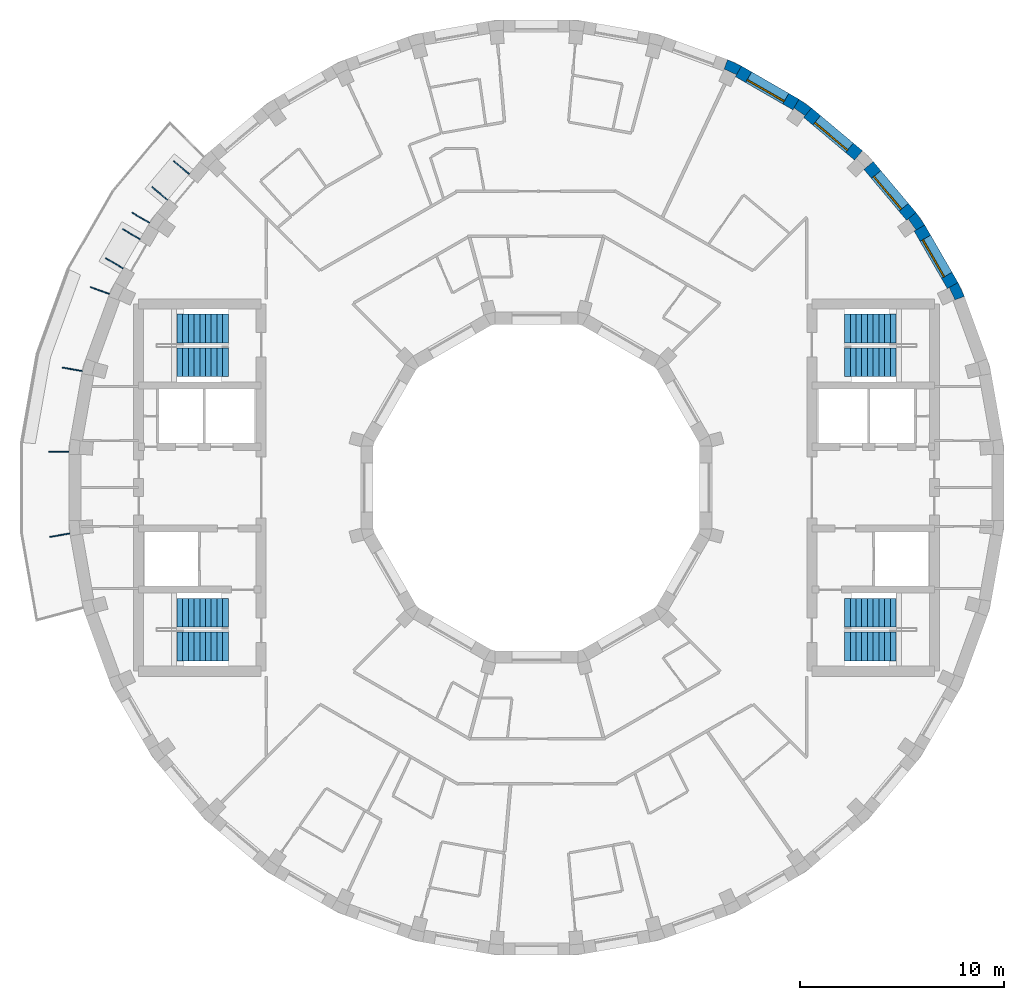
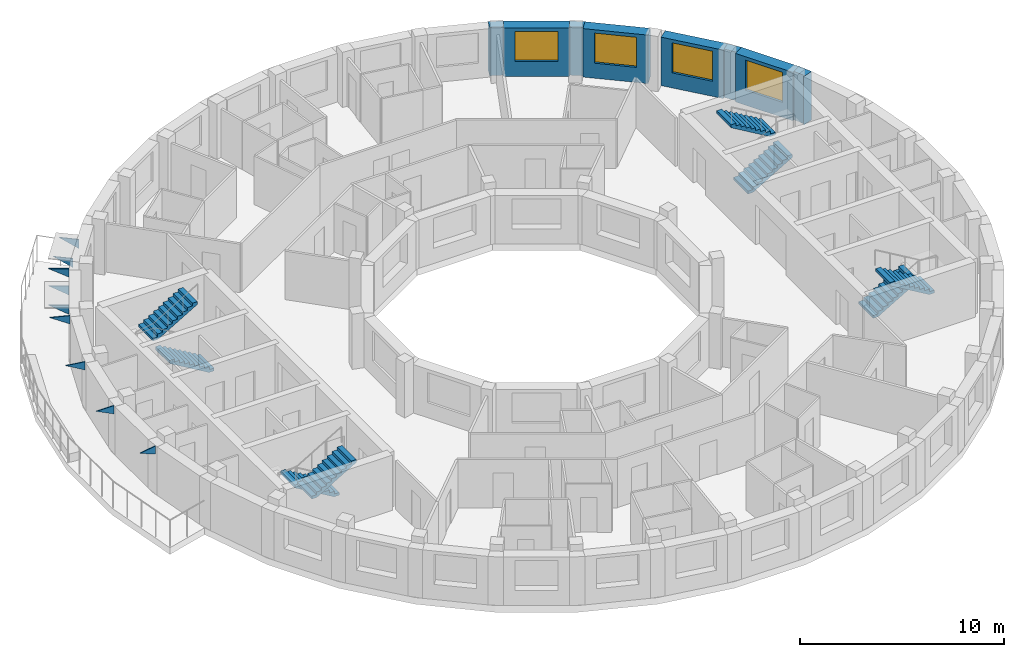
# One storey, part 9 of 10: 9 discrete accessories, 8 stair flights, 8 walls, 4 windows, 4 openings, 4 elements without a shape of their own.
"""IFC4 building model written with IfcOpenShell, lengths in metres."""

from ifc_helpers import new_model, si_unit, direction, frame, frame_2d, origin, place, context, subcontext, project, spatial, polyline, rectangle, outline, extrude, material, layer, layer_set, type_object, element, fill, aggregate, save


model = new_model("IFC4")

# Units and contexts
model_context = context("Model", 3, precision=1e-05, world=origin(), true_north=direction((0.0, 1.0)))
body_context = subcontext(model_context, "Body", "Model", "MODEL_VIEW")
ifc_project = project(units=[si_unit("LENGTHUNIT", "METRE"), si_unit("AREAUNIT", "SQUARE_METRE"), si_unit("VOLUMEUNIT", "CUBIC_METRE"), si_unit("PLANEANGLEUNIT", "RADIAN"), si_unit("MASSUNIT", "GRAM", prefix="KILO")], contexts=[model_context])

# Site, building, storey
site_placement = place(None, origin())
site = spatial("IfcSite", under=ifc_project, at=site_placement, CompositionType="ELEMENT")
building_placement = place(site_placement, origin())
building = spatial("IfcBuilding", under=site, at=building_placement, Name="Saqina Gate Tower", CompositionType="ELEMENT")
storey_placement = place(building_placement, frame((0.0, 0.0, 242.89990234375)))
storey = spatial("IfcBuildingStorey", under=building, at=storey_placement, Name="L69", CompositionType="ELEMENT", Elevation=242.89990234375)

# Walls
ifc_material_1 = material(Name="Brick masonry (buff)", Category="masonry")
wall_type_1 = type_object("IfcWallType", Name="BRICK PIER COPING BUFF", PredefinedType="SOLIDWALL", material=ifc_material_1)
wall_1_placement = place(storey_placement, origin())
element("IfcWall", 1, at=wall_1_placement, inside=storey, type_object=wall_type_1, Name="Pier cap L69 column 3", PredefinedType="SOLIDWALL", context=body_context, shape_type="SweptSolid", body=[
    extrude(outline(polyline([(20.974609375, 9.3642578125), (20.65576171875, 10.048095703125), (20.135986328125, 9.748291015625), (20.23193359375, 9.79296875), (20.506591796875, 9.203857421875), (20.410888671875, 9.1591796875), (20.974609375, 9.3642578125)])), origin(), (0.0, 0.0, 1.0), 2.900146484375),
])
wall_2_placement = place(storey_placement, origin())
element("IfcWall", 2, at=wall_2_placement, inside=storey, type_object=wall_type_1, Name="Pier cap L69 column 4", PredefinedType="SOLIDWALL", context=body_context, shape_type="SweptSolid", body=[
    extrude(outline(polyline([(19.02978515625, 12.8642578125), (18.59716796875, 13.482421875), (18.137451171875, 13.0966796875), (18.22412109375, 13.157470703125), (18.596923828125, 12.625), (18.51025390625, 12.564208984375), (19.02978515625, 12.8642578125)])), origin(), (0.0, 0.0, 1.0), 2.900146484375),
])
wall_3_placement = place(storey_placement, origin())
element("IfcWall", 3, at=wall_3_placement, inside=storey, type_object=wall_type_1, Name="Pier cap L69 column 6", PredefinedType="SOLIDWALL", context=body_context, shape_type="SweptSolid", body=[
    extrude(outline(polyline([(12.8642578125, 19.02978515625), (12.564208984375, 18.51025390625), (12.625, 18.596923828125), (13.157470703125, 18.22412109375), (13.0966796875, 18.137451171875), (13.482421875, 18.59716796875), (12.8642578125, 19.02978515625)])), origin(), (0.0, 0.0, 1.0), 2.900146484375),
])
wall_4_placement = place(storey_placement, origin())
element("IfcWall", 4, at=wall_4_placement, inside=storey, type_object=wall_type_1, Name="Pier cap L69 column 7", PredefinedType="SOLIDWALL", context=body_context, shape_type="SweptSolid", body=[
    extrude(outline(polyline([(10.048095703125, 20.65576171875), (9.3642578125, 20.974609375), (9.1591796875, 20.410888671875), (9.203857421875, 20.506591796875), (9.79296875, 20.23193359375), (9.748291015625, 20.135986328125), (10.048095703125, 20.65576171875)])), origin(), (0.0, 0.0, 1.0), 2.900146484375),
])

# Wall, opening, window
ifc_material_2 = material(Name="Brick masonry (buff)", Category="masonry")
ifc_layer_1 = layer(ifc_material_2, 0.60009765625)
ifc_layer_set_1 = layer_set([ifc_layer_1], Name="FW-BRICK-BUFF")
wall_type_2 = type_object("IfcWallType", Name="FW-BRICK-BUFF", PredefinedType="SOLIDWALL", material=ifc_layer_set_1)
wall_5_placement = place(storey_placement, frame((20.39599609375, 9.898193359375, 0.0), z_axis=(0.0, 0.0, 1.0), x_axis=(-0.500014901547, 0.866016800201, 0.0)))
wall_5 = element("IfcWall", 5, at=wall_5_placement, inside=storey, type_object=wall_type_2, Name="Facade wall L69 facet 3", PredefinedType="SOLIDWALL", context=body_context, shape_type="SweptSolid", body=[
    extrude(rectangle(XDim=3.251953125, YDim=0.60009765625, at=frame_2d((1.6259765625, 0.0))), origin(), (0.0, 0.0, 1.0), 2.900146484375),
])
opening_1_placement = place(wall_5_placement, frame((0.57568359375, 0.0, 0.89990234375)))
opening_1 = element("IfcOpeningElement", 6, at=opening_1_placement, cuts=wall_5, Name="Opening G20-W01", PredefinedType="OPENING", context=body_context, shape_type="SweptSolid", body=[
    extrude(rectangle(XDim=2.10009765625, YDim=1.800048828125, at=frame_2d((1.050048828125, 0.89990234375))), frame((0.0, 0.31201171875, 0.0), z_axis=(0.0, -1.0, 0.0), x_axis=(1.0, 0.0, 0.0)), (0.0, 0.0, 1.0), 0.6240234375),
])
ifc_material_3 = material(Name="Aluminium glazing", Category="aluminium")
window_type = type_object("IfcWindowType", Name="WN-D", PartitioningType="SINGLE_PANEL", PredefinedType="WINDOW", material=ifc_material_3)
window_1_placement = place(opening_1_placement, origin())
window_1 = element("IfcWindow", 7, at=window_1_placement, inside=storey, type_object=window_type, Name="Window L69 facet 3", OverallHeight=1.800048828125, OverallWidth=2.10009765625, PartitioningType="SINGLE_PANEL", PredefinedType="WINDOW", context=body_context, shape_type="SweptSolid", body=[
    extrude(rectangle(XDim=2.10009765625, YDim=1.800048828125, at=frame_2d((1.050048828125, 0.89990234375))), frame((0.0, 0.179931640625, 0.0), z_axis=(0.0, -1.0, 0.0), x_axis=(1.0, 0.0, 0.0)), (0.0, 0.0, 1.0), 0.06005859375),
])
fill(opening_1, window_1)

wall_6_placement = place(storey_placement, frame((18.3671875, 13.28955078125, 0.0), z_axis=(0.0, 0.0, 1.0), x_axis=(-0.64277291405, 0.766056773982, 0.0)))
wall_6 = element("IfcWall", 8, at=wall_6_placement, inside=storey, type_object=wall_type_2, Name="Facade wall L69 facet 4", PredefinedType="SOLIDWALL", context=body_context, shape_type="SweptSolid", body=[
    extrude(rectangle(XDim=3.251708984375, YDim=0.60009765625, at=frame_2d((1.6259765625, 0.0))), origin(), (0.0, 0.0, 1.0), 2.900146484375),
])
opening_2_placement = place(wall_6_placement, frame((0.57568359375, 0.0, 0.89990234375)))
opening_2 = element("IfcOpeningElement", 9, at=opening_2_placement, cuts=wall_6, Name="Opening G20-W02", PredefinedType="OPENING", context=body_context, shape_type="SweptSolid", body=[
    extrude(rectangle(XDim=2.10009765625, YDim=1.800048828125, at=frame_2d((1.050048828125, 0.89990234375))), frame((0.0, 0.31201171875, 0.0), z_axis=(0.0, -1.0, 0.0), x_axis=(1.0, 0.0, 0.0)), (0.0, 0.0, 1.0), 0.6240234375),
])
window_2_placement = place(opening_2_placement, origin())
window_2 = element("IfcWindow", 10, at=window_2_placement, inside=storey, type_object=window_type, Name="Window L69 facet 4", OverallHeight=1.800048828125, OverallWidth=2.10009765625, PartitioningType="SINGLE_PANEL", PredefinedType="WINDOW", context=body_context, shape_type="SweptSolid", body=[
    extrude(rectangle(XDim=2.10009765625, YDim=1.800048828125, at=frame_2d((1.050048828125, 0.89990234375))), frame((0.0, 0.179931640625, 0.0), z_axis=(0.0, -1.0, 0.0), x_axis=(1.0, 0.0, 0.0)), (0.0, 0.0, 1.0), 0.06005859375),
])
fill(opening_2, window_2)

wall_7_placement = place(storey_placement, frame((15.780517578125, 16.277099609375, 0.0), z_axis=(0.0, 0.0, 1.0), x_axis=(-0.766056773982, 0.64277291405, 0.0)))
wall_7 = element("IfcWall", 11, at=wall_7_placement, inside=storey, type_object=wall_type_2, Name="Facade wall L69 facet 5", PredefinedType="SOLIDWALL", context=body_context, shape_type="SweptSolid", body=[
    extrude(rectangle(XDim=3.251708984375, YDim=0.60009765625, at=frame_2d((1.6259765625, 0.0))), origin(), (0.0, 0.0, 1.0), 2.900146484375),
])
opening_3_placement = place(wall_7_placement, frame((0.57568359375, 0.0, 0.89990234375)))
opening_3 = element("IfcOpeningElement", 12, at=opening_3_placement, cuts=wall_7, Name="Opening G20-W03", PredefinedType="OPENING", context=body_context, shape_type="SweptSolid", body=[
    extrude(rectangle(XDim=2.10009765625, YDim=1.800048828125, at=frame_2d((1.050048828125, 0.89990234375))), frame((0.0, 0.31201171875, 0.0), z_axis=(0.0, -1.0, 0.0), x_axis=(1.0, 0.0, 0.0)), (0.0, 0.0, 1.0), 0.6240234375),
])
window_3_placement = place(opening_3_placement, origin())
window_3 = element("IfcWindow", 13, at=window_3_placement, inside=storey, type_object=window_type, Name="Window L69 facet 5", OverallHeight=1.800048828125, OverallWidth=2.10009765625, PartitioningType="SINGLE_PANEL", PredefinedType="WINDOW", context=body_context, shape_type="SweptSolid", body=[
    extrude(rectangle(XDim=2.10009765625, YDim=1.800048828125, at=frame_2d((1.050048828125, 0.89990234375))), frame((0.0, 0.179931640625, 0.0), z_axis=(0.0, -1.0, 0.0), x_axis=(1.0, 0.0, 0.0)), (0.0, 0.0, 1.0), 0.06005859375),
])
fill(opening_3, window_3)

wall_8_placement = place(storey_placement, frame((12.71435546875, 18.77001953125, 0.0), z_axis=(0.0, 0.0, 1.0), x_axis=(-0.866016800201, 0.500014901547, 0.0)))
wall_8 = element("IfcWall", 14, at=wall_8_placement, inside=storey, type_object=wall_type_2, Name="Facade wall L69 facet 6", PredefinedType="SOLIDWALL", context=body_context, shape_type="SweptSolid", body=[
    extrude(rectangle(XDim=3.251953125, YDim=0.60009765625, at=frame_2d((1.6259765625, 0.0))), origin(), (0.0, 0.0, 1.0), 2.900146484375),
])
opening_4_placement = place(wall_8_placement, frame((0.57568359375, 0.0, 0.89990234375)))
opening_4 = element("IfcOpeningElement", 15, at=opening_4_placement, cuts=wall_8, Name="Opening G20-W04", PredefinedType="OPENING", context=body_context, shape_type="SweptSolid", body=[
    extrude(rectangle(XDim=2.10009765625, YDim=1.800048828125, at=frame_2d((1.050048828125, 0.89990234375))), frame((0.0, 0.31201171875, 0.0), z_axis=(0.0, -1.0, 0.0), x_axis=(1.0, 0.0, 0.0)), (0.0, 0.0, 1.0), 0.6240234375),
])
window_4_placement = place(opening_4_placement, origin())
window_4 = element("IfcWindow", 16, at=window_4_placement, inside=storey, type_object=window_type, Name="Window L69 facet 6", OverallHeight=1.800048828125, OverallWidth=2.10009765625, PartitioningType="SINGLE_PANEL", PredefinedType="WINDOW", context=body_context, shape_type="SweptSolid", body=[
    extrude(rectangle(XDim=2.10009765625, YDim=1.800048828125, at=frame_2d((1.050048828125, 0.89990234375))), frame((0.0, 0.179931640625, 0.0), z_axis=(0.0, -1.0, 0.0), x_axis=(1.0, 0.0, 0.0)), (0.0, 0.0, 1.0), 0.06005859375),
])
fill(opening_4, window_4)

# Stair, stair flights
ifc_material_4 = material(Name="Concrete C40/50", Category="concrete")
stair_type = type_object("IfcStairType", Name="EXIT STAIR", PredefinedType="HALF_TURN_STAIR", material=ifc_material_4)
stair_1_placement = place(storey_placement, origin())
stair_1 = element("IfcStair", 17, at=stair_1_placement, inside=storey, type_object=stair_type, Name="EXIT STAIR 1", PredefinedType="HALF_TURN_STAIR")
ifc_material_5 = material(Name="Concrete C40/50", Category="concrete")
stair_flight_type = type_object("IfcStairFlightType", Name="EXIT STAIR FLIGHT", PredefinedType="STRAIGHT", material=ifc_material_5)
stair_flight_1_placement = place(storey_placement, frame((15.10009765625, 6.13330078125, 0.0), z_axis=(0.0, 0.0, 1.0), x_axis=(1.0, 0.0, 0.0)))
stair_flight_1 = element("IfcStairFlight", 18, at=stair_flight_1_placement, type_object=stair_flight_type, Name="EXIT STAIR 1 FLIGHT 1", NumberOfRisers=10, NumberOfTreads=9, PredefinedType="STRAIGHT", RiserHeight=0.165, TreadLength=0.28, context=body_context, shape_type="SweptSolid", body=[
    extrude(outline(polyline([(0.0, 0.0), (0.0, 0.1650390625), (0.280029296875, 0.1650390625), (0.280029296875, 0.330078125), (0.56005859375, 0.330078125), (0.56005859375, 0.4951171875), (0.840087890625, 0.4951171875), (0.840087890625, 0.659912109375), (1.1201171875, 0.659912109375), (1.1201171875, 0.824951171875), (1.39990234375, 0.824951171875), (1.39990234375, 0.989990234375), (1.679931640625, 0.989990234375), (1.679931640625, 1.155029296875), (1.9599609375, 1.155029296875), (1.9599609375, 1.320068359375), (2.239990234375, 1.320068359375), (2.239990234375, 1.485107421875), (2.52001953125, 1.485107421875), (2.52001953125, 1.64990234375), (2.52001953125, 1.31103515625), (0.295166015625, 0.0), (0.0, 0.0)])), frame((0.0, 0.699951171875, 0.0), z_axis=(0.0, -1.0, 0.0), x_axis=(1.0, 0.0, 0.0)), (0.0, 0.0, 1.0), 1.39990234375),
])
stair_flight_2_placement = place(storey_placement, frame((17.6201171875, 7.791748046875, 1.650146484375), z_axis=(0.0, 0.0, 1.0), x_axis=(-1.0, 0.0, 0.0)))
stair_flight_2 = element("IfcStairFlight", 19, at=stair_flight_2_placement, type_object=stair_flight_type, Name="EXIT STAIR 1 FLIGHT 2", NumberOfRisers=10, NumberOfTreads=9, PredefinedType="STRAIGHT", RiserHeight=0.165, TreadLength=0.28, context=body_context, shape_type="SweptSolid", body=[
    extrude(outline(polyline([(0.0, 0.0), (0.0, 0.1650390625), (0.280029296875, 0.1650390625), (0.280029296875, 0.330078125), (0.56005859375, 0.330078125), (0.56005859375, 0.4951171875), (0.840087890625, 0.4951171875), (0.840087890625, 0.659912109375), (1.1201171875, 0.659912109375), (1.1201171875, 0.824951171875), (1.39990234375, 0.824951171875), (1.39990234375, 0.989990234375), (1.679931640625, 0.989990234375), (1.679931640625, 1.155029296875), (1.9599609375, 1.155029296875), (1.9599609375, 1.320068359375), (2.239990234375, 1.320068359375), (2.239990234375, 1.485107421875), (2.52001953125, 1.485107421875), (2.52001953125, 1.64990234375), (2.52001953125, 1.31103515625), (0.295166015625, 0.0), (0.0, 0.0)])), frame((0.0, 0.699951171875, 0.0), z_axis=(0.0, -1.0, 0.0), x_axis=(1.0, 0.0, 0.0)), (0.0, 0.0, 1.0), 1.39990234375),
])
aggregate(stair_1, [stair_flight_1, stair_flight_2])

stair_2_placement = place(storey_placement, origin())
stair_2 = element("IfcStair", 20, at=stair_2_placement, inside=storey, type_object=stair_type, Name="EXIT STAIR 2", PredefinedType="HALF_TURN_STAIR")
stair_flight_3_placement = place(storey_placement, frame((15.10009765625, -6.13330078125, 0.0), z_axis=(0.0, 0.0, 1.0), x_axis=(1.0, 0.0, 0.0)))
stair_flight_3 = element("IfcStairFlight", 21, at=stair_flight_3_placement, type_object=stair_flight_type, Name="EXIT STAIR 2 FLIGHT 1", NumberOfRisers=10, NumberOfTreads=9, PredefinedType="STRAIGHT", RiserHeight=0.165, TreadLength=0.28, context=body_context, shape_type="SweptSolid", body=[
    extrude(outline(polyline([(0.0, 0.0), (0.0, 0.1650390625), (0.280029296875, 0.1650390625), (0.280029296875, 0.330078125), (0.56005859375, 0.330078125), (0.56005859375, 0.4951171875), (0.840087890625, 0.4951171875), (0.840087890625, 0.659912109375), (1.1201171875, 0.659912109375), (1.1201171875, 0.824951171875), (1.39990234375, 0.824951171875), (1.39990234375, 0.989990234375), (1.679931640625, 0.989990234375), (1.679931640625, 1.155029296875), (1.9599609375, 1.155029296875), (1.9599609375, 1.320068359375), (2.239990234375, 1.320068359375), (2.239990234375, 1.485107421875), (2.52001953125, 1.485107421875), (2.52001953125, 1.64990234375), (2.52001953125, 1.31103515625), (0.295166015625, 0.0), (0.0, 0.0)])), frame((0.0, 0.699951171875, 0.0), z_axis=(0.0, -1.0, 0.0), x_axis=(1.0, 0.0, 0.0)), (0.0, 0.0, 1.0), 1.39990234375),
])
stair_flight_4_placement = place(storey_placement, frame((17.6201171875, -7.791748046875, 1.650146484375), z_axis=(0.0, 0.0, 1.0), x_axis=(-1.0, 0.0, 0.0)))
stair_flight_4 = element("IfcStairFlight", 22, at=stair_flight_4_placement, type_object=stair_flight_type, Name="EXIT STAIR 2 FLIGHT 2", NumberOfRisers=10, NumberOfTreads=9, PredefinedType="STRAIGHT", RiserHeight=0.165, TreadLength=0.28, context=body_context, shape_type="SweptSolid", body=[
    extrude(outline(polyline([(0.0, 0.0), (0.0, 0.1650390625), (0.280029296875, 0.1650390625), (0.280029296875, 0.330078125), (0.56005859375, 0.330078125), (0.56005859375, 0.4951171875), (0.840087890625, 0.4951171875), (0.840087890625, 0.659912109375), (1.1201171875, 0.659912109375), (1.1201171875, 0.824951171875), (1.39990234375, 0.824951171875), (1.39990234375, 0.989990234375), (1.679931640625, 0.989990234375), (1.679931640625, 1.155029296875), (1.9599609375, 1.155029296875), (1.9599609375, 1.320068359375), (2.239990234375, 1.320068359375), (2.239990234375, 1.485107421875), (2.52001953125, 1.485107421875), (2.52001953125, 1.64990234375), (2.52001953125, 1.31103515625), (0.295166015625, 0.0), (0.0, 0.0)])), frame((0.0, 0.699951171875, 0.0), z_axis=(0.0, -1.0, 0.0), x_axis=(1.0, 0.0, 0.0)), (0.0, 0.0, 1.0), 1.39990234375),
])
aggregate(stair_2, [stair_flight_3, stair_flight_4])

stair_3_placement = place(storey_placement, origin())
stair_3 = element("IfcStair", 23, at=stair_3_placement, inside=storey, type_object=stair_type, Name="EXIT STAIR 3", PredefinedType="HALF_TURN_STAIR")
stair_flight_5_placement = place(storey_placement, frame((-15.10009765625, 6.13330078125, 0.0), z_axis=(0.0, 0.0, 1.0), x_axis=(-1.0, 0.0, 0.0)))
stair_flight_5 = element("IfcStairFlight", 24, at=stair_flight_5_placement, type_object=stair_flight_type, Name="EXIT STAIR 3 FLIGHT 1", NumberOfRisers=10, NumberOfTreads=9, PredefinedType="STRAIGHT", RiserHeight=0.165, TreadLength=0.28, context=body_context, shape_type="SweptSolid", body=[
    extrude(outline(polyline([(0.0, 0.0), (0.0, 0.1650390625), (0.280029296875, 0.1650390625), (0.280029296875, 0.330078125), (0.56005859375, 0.330078125), (0.56005859375, 0.4951171875), (0.840087890625, 0.4951171875), (0.840087890625, 0.659912109375), (1.1201171875, 0.659912109375), (1.1201171875, 0.824951171875), (1.39990234375, 0.824951171875), (1.39990234375, 0.989990234375), (1.679931640625, 0.989990234375), (1.679931640625, 1.155029296875), (1.9599609375, 1.155029296875), (1.9599609375, 1.320068359375), (2.239990234375, 1.320068359375), (2.239990234375, 1.485107421875), (2.52001953125, 1.485107421875), (2.52001953125, 1.64990234375), (2.52001953125, 1.31103515625), (0.295166015625, 0.0), (0.0, 0.0)])), frame((0.0, 0.699951171875, 0.0), z_axis=(0.0, -1.0, 0.0), x_axis=(1.0, 0.0, 0.0)), (0.0, 0.0, 1.0), 1.39990234375),
])
stair_flight_6_placement = place(storey_placement, frame((-17.6201171875, 7.791748046875, 1.650146484375), z_axis=(0.0, 0.0, 1.0), x_axis=(1.0, 0.0, 0.0)))
stair_flight_6 = element("IfcStairFlight", 25, at=stair_flight_6_placement, type_object=stair_flight_type, Name="EXIT STAIR 3 FLIGHT 2", NumberOfRisers=10, NumberOfTreads=9, PredefinedType="STRAIGHT", RiserHeight=0.165, TreadLength=0.28, context=body_context, shape_type="SweptSolid", body=[
    extrude(outline(polyline([(0.0, 0.0), (0.0, 0.1650390625), (0.280029296875, 0.1650390625), (0.280029296875, 0.330078125), (0.56005859375, 0.330078125), (0.56005859375, 0.4951171875), (0.840087890625, 0.4951171875), (0.840087890625, 0.659912109375), (1.1201171875, 0.659912109375), (1.1201171875, 0.824951171875), (1.39990234375, 0.824951171875), (1.39990234375, 0.989990234375), (1.679931640625, 0.989990234375), (1.679931640625, 1.155029296875), (1.9599609375, 1.155029296875), (1.9599609375, 1.320068359375), (2.239990234375, 1.320068359375), (2.239990234375, 1.485107421875), (2.52001953125, 1.485107421875), (2.52001953125, 1.64990234375), (2.52001953125, 1.31103515625), (0.295166015625, 0.0), (0.0, 0.0)])), frame((0.0, 0.699951171875, 0.0), z_axis=(0.0, -1.0, 0.0), x_axis=(1.0, 0.0, 0.0)), (0.0, 0.0, 1.0), 1.39990234375),
])
aggregate(stair_3, [stair_flight_5, stair_flight_6])

stair_4_placement = place(storey_placement, origin())
stair_4 = element("IfcStair", 26, at=stair_4_placement, inside=storey, type_object=stair_type, Name="EXIT STAIR 4", PredefinedType="HALF_TURN_STAIR")
stair_flight_7_placement = place(storey_placement, frame((-15.10009765625, -6.13330078125, 0.0), z_axis=(0.0, 0.0, 1.0), x_axis=(-1.0, 0.0, 0.0)))
stair_flight_7 = element("IfcStairFlight", 27, at=stair_flight_7_placement, type_object=stair_flight_type, Name="EXIT STAIR 4 FLIGHT 1", NumberOfRisers=10, NumberOfTreads=9, PredefinedType="STRAIGHT", RiserHeight=0.165, TreadLength=0.28, context=body_context, shape_type="SweptSolid", body=[
    extrude(outline(polyline([(0.0, 0.0), (0.0, 0.1650390625), (0.280029296875, 0.1650390625), (0.280029296875, 0.330078125), (0.56005859375, 0.330078125), (0.56005859375, 0.4951171875), (0.840087890625, 0.4951171875), (0.840087890625, 0.659912109375), (1.1201171875, 0.659912109375), (1.1201171875, 0.824951171875), (1.39990234375, 0.824951171875), (1.39990234375, 0.989990234375), (1.679931640625, 0.989990234375), (1.679931640625, 1.155029296875), (1.9599609375, 1.155029296875), (1.9599609375, 1.320068359375), (2.239990234375, 1.320068359375), (2.239990234375, 1.485107421875), (2.52001953125, 1.485107421875), (2.52001953125, 1.64990234375), (2.52001953125, 1.31103515625), (0.295166015625, 0.0), (0.0, 0.0)])), frame((0.0, 0.699951171875, 0.0), z_axis=(0.0, -1.0, 0.0), x_axis=(1.0, 0.0, 0.0)), (0.0, 0.0, 1.0), 1.39990234375),
])
stair_flight_8_placement = place(storey_placement, frame((-17.6201171875, -7.791748046875, 1.650146484375), z_axis=(0.0, 0.0, 1.0), x_axis=(1.0, 0.0, 0.0)))
stair_flight_8 = element("IfcStairFlight", 28, at=stair_flight_8_placement, type_object=stair_flight_type, Name="EXIT STAIR 4 FLIGHT 2", NumberOfRisers=10, NumberOfTreads=9, PredefinedType="STRAIGHT", RiserHeight=0.165, TreadLength=0.28, context=body_context, shape_type="SweptSolid", body=[
    extrude(outline(polyline([(0.0, 0.0), (0.0, 0.1650390625), (0.280029296875, 0.1650390625), (0.280029296875, 0.330078125), (0.56005859375, 0.330078125), (0.56005859375, 0.4951171875), (0.840087890625, 0.4951171875), (0.840087890625, 0.659912109375), (1.1201171875, 0.659912109375), (1.1201171875, 0.824951171875), (1.39990234375, 0.824951171875), (1.39990234375, 0.989990234375), (1.679931640625, 0.989990234375), (1.679931640625, 1.155029296875), (1.9599609375, 1.155029296875), (1.9599609375, 1.320068359375), (2.239990234375, 1.320068359375), (2.239990234375, 1.485107421875), (2.52001953125, 1.485107421875), (2.52001953125, 1.64990234375), (2.52001953125, 1.31103515625), (0.295166015625, 0.0), (0.0, 0.0)])), frame((0.0, 0.699951171875, 0.0), z_axis=(0.0, -1.0, 0.0), x_axis=(1.0, 0.0, 0.0)), (0.0, 0.0, 1.0), 1.39990234375),
])
aggregate(stair_4, [stair_flight_7, stair_flight_8])

# Discrete accessories
ifc_material_6 = material(Name="Galvanised steel", Category="steel")
ifc_layer_2 = layer(ifc_material_6, 0.050048828125)
ifc_layer_set_2 = layer_set([ifc_layer_2], Name="BR-AWNING")
discrete_accessory_type_1 = type_object("IfcDiscreteAccessoryType", Name="BR-AWNING", PredefinedType="BRACKET", material=ifc_layer_set_2)
for number, where, z_axis, x_axis, name in (
    (29, (-17.037109375, 15.34130859375, 1.97509765625), (-0.64277405138, -0.766055819685, 0.0), (0.0, 0.0, 1.0), "Awning bracket L69 facet 14"),
    (30, (-18.098876953125, 14.076171875, 1.97509765625), (-0.64277405138, -0.766055819685, 0.0), (0.0, 0.0, 1.0), "Awning bracket L69 facet 14"),
):
    element("IfcDiscreteAccessory", number, at=place(storey_placement, frame(where, z_axis=z_axis, x_axis=x_axis)), inside=storey, type_object=discrete_accessory_type_1, Name=name, PredefinedType="BRACKET", context=body_context, shape_type="SweptSolid", body=[
        extrude(outline(polyline([(0.0, 0.0), (0.550048828125, 0.0), (0.550048828125, 1.0000750096322273), (0.0, 0.0)])), origin(), (0.0, 0.0, -1.0), 0.050048828125),
    ])
for number, where, z_axis, x_axis, name in (
    (31, (-19.4423828125, 12.14990234375, 1.97509765625), (-0.50002537861, -0.866010750942, 0.0), (0.0, 0.0, 1.0), "Awning bracket L69 facet 15"),
    (32, (-20.268310546875, 10.719482421875, 1.97509765625), (-0.50002537861, -0.866010750942, 0.0), (0.0, 0.0, 1.0), "Awning bracket L69 facet 15"),
):
    element("IfcDiscreteAccessory", number, at=place(storey_placement, frame(where, z_axis=z_axis, x_axis=x_axis)), inside=storey, type_object=discrete_accessory_type_1, Name=name, PredefinedType="BRACKET", context=body_context, shape_type="SweptSolid", body=[
        extrude(outline(polyline([(0.0, 0.0), (0.550048828125, 0.0), (0.550048828125, 0.9999492453569568), (0.0, 0.0)])), origin(), (0.0, 0.0, -1.0), 0.050048828125),
    ])
ifc_material_7 = material(Name="Galvanised steel", Category="steel")
ifc_layer_3 = layer(ifc_material_7, 0.050048828125)
ifc_layer_set_3 = layer_set([ifc_layer_3], Name="BR-GUSSET")
discrete_accessory_type_2 = type_object("IfcDiscreteAccessoryType", Name="BR-GUSSET", PredefinedType="BRACKET", material=ifc_layer_set_3)
discrete_accessory_1_placement = place(storey_placement, frame((-18.97802734375, 12.9541015625, 2.400146484375), z_axis=(-0.50002537861, -0.866010750942, 0.0), x_axis=(0.0, 0.0, 1.0)))
element("IfcDiscreteAccessory", 33, at=discrete_accessory_1_placement, inside=storey, type_object=discrete_accessory_type_2, Name="Terrace slab bracket L70 1", PredefinedType="BRACKET", context=body_context, shape_type="SweptSolid", body=[
    extrude(outline(polyline([(0.0, 0.0), (0.5, 0.0), (0.5, 0.9999492453569568), (0.0, 0.0)])), origin(), (0.0, 0.0, -1.0), 0.050048828125),
])
discrete_accessory_2_placement = place(storey_placement, frame((-20.939208984375, 9.4619140625, 2.400146484375), z_axis=(-0.341821477669, -0.939764905391, 0.0), x_axis=(0.0, 0.0, 1.0)))
element("IfcDiscreteAccessory", 34, at=discrete_accessory_2_placement, inside=storey, type_object=discrete_accessory_type_2, Name="Terrace slab bracket L70 2", PredefinedType="BRACKET", context=body_context, shape_type="SweptSolid", body=[
    extrude(outline(polyline([(0.0, 0.0), (0.5, 0.0), (0.5, 0.999928024801219), (0.0, 0.0)])), origin(), (0.0, 0.0, -1.0), 0.050048828125),
])
discrete_accessory_3_placement = place(storey_placement, frame((-22.263916015625, 5.681884765625, 2.400146484375), z_axis=(-0.173813186416, -0.984778643263, 0.0), x_axis=(0.0, 0.0, 1.0)))
element("IfcDiscreteAccessory", 35, at=discrete_accessory_3_placement, inside=storey, type_object=discrete_accessory_type_2, Name="Terrace slab bracket L70 3", PredefinedType="BRACKET", context=body_context, shape_type="SweptSolid", body=[
    extrude(outline(polyline([(0.0, 0.0), (0.5, 0.0), (0.5, 1.000085946204391), (0.0, 0.0)])), origin(), (0.0, 0.0, -1.0), 0.050048828125),
])
discrete_accessory_4_placement = place(storey_placement, frame((-22.91259765625, 1.7294921875, 2.400146484375), z_axis=(0.0, -1.0, 0.0), x_axis=(0.0, 0.0, 1.0)))
element("IfcDiscreteAccessory", 36, at=discrete_accessory_4_placement, inside=storey, type_object=discrete_accessory_type_2, Name="Terrace slab bracket L70 4", PredefinedType="BRACKET", context=body_context, shape_type="SweptSolid", body=[
    extrude(outline(polyline([(0.0, 0.0), (0.5, 0.0), (0.5, 1.0), (0.0, 0.0)])), origin(), (0.0, 0.0, -1.0), 0.050048828125),
])
discrete_accessory_5_placement = place(storey_placement, frame((-22.86474609375, -2.275390625, 2.400146484375), z_axis=(0.173813186416, -0.984778643263, 0.0), x_axis=(0.0, 0.0, 1.0)))
element("IfcDiscreteAccessory", 37, at=discrete_accessory_5_placement, inside=storey, type_object=discrete_accessory_type_2, Name="Terrace slab bracket L70 5", PredefinedType="BRACKET", context=body_context, shape_type="SweptSolid", body=[
    extrude(outline(polyline([(0.0, 0.0), (0.5, 0.0), (0.5, 1.000085946204391), (0.0, 0.0)])), origin(), (0.0, 0.0, -1.0), 0.050048828125),
])

save(model, "model.ifc")
